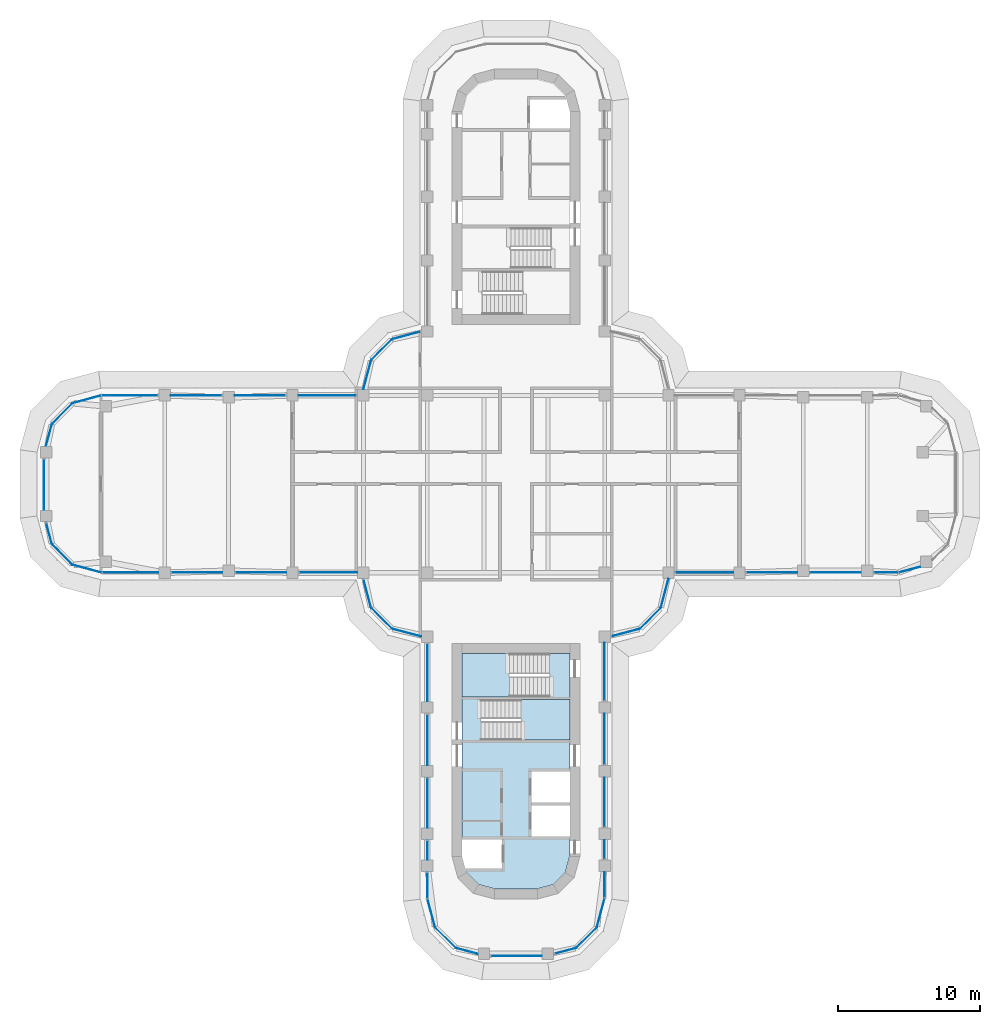
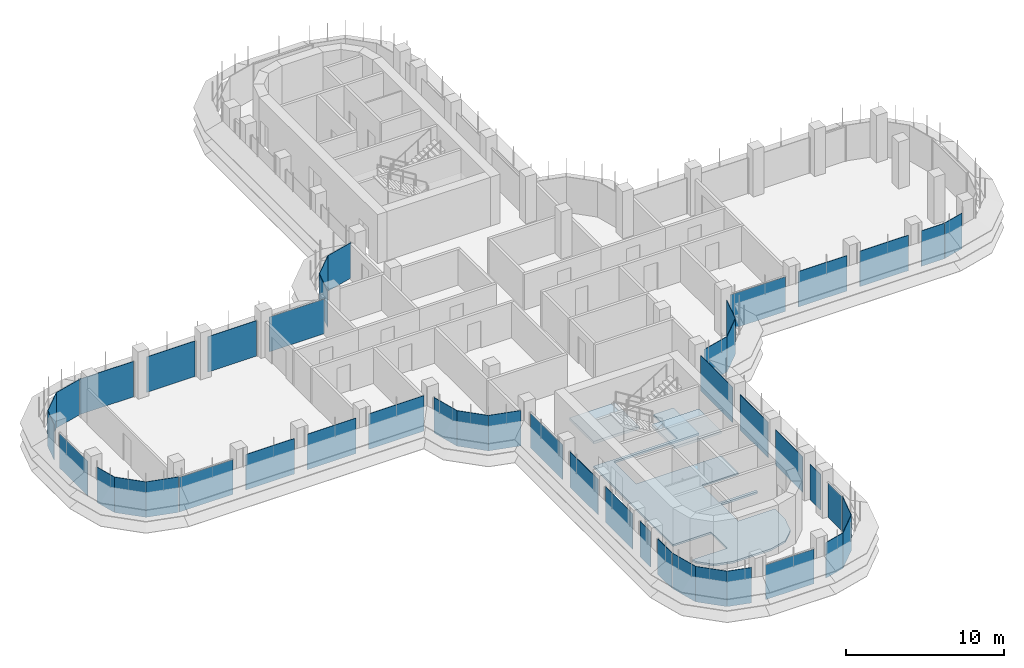
# One storey, part 12 of 20: 46 plates, 3 slabs, 31 elements without a shape of their own.
"""IFC4 building model written with IfcOpenShell, lengths in metres."""

from ifc_helpers import new_model, si_unit, direction, frame, origin, place, context, subcontext, project, spatial, polyline, outline, extrude, source, transform, mapped, material, layer, layer_set, type_object, element, aggregate, save


model = new_model("IFC4")

# Units and contexts
model_context = context("Model", 3, precision=1e-05, world=origin(), true_north=direction((0.0, 1.0)))
body_context = subcontext(model_context, "Body", "Model", "MODEL_VIEW")
ifc_project = project(units=[si_unit("LENGTHUNIT", "METRE"), si_unit("AREAUNIT", "SQUARE_METRE"), si_unit("VOLUMEUNIT", "CUBIC_METRE"), si_unit("PLANEANGLEUNIT", "RADIAN"), si_unit("MASSUNIT", "GRAM", prefix="KILO")], contexts=[model_context])

# Site, building, storey
site_placement = place(None, origin())
site = spatial("IfcSite", under=ifc_project, at=site_placement, CompositionType="ELEMENT")
building_placement = place(site_placement, origin())
building = spatial("IfcBuilding", under=site, at=building_placement, Name="Zarbagh Exchange Tower", CompositionType="ELEMENT")
storey_placement = place(building_placement, frame((0.0, 0.0, 144.800048828125)))
storey = spatial("IfcBuildingStorey", under=building, at=storey_placement, Name="L34", CompositionType="ELEMENT", Elevation=144.800048828125)

# Slab
ifc_material_1 = material(Name="Concrete C40/50", Category="concrete")
ifc_layer_1 = layer(ifc_material_1, 0.14990234375)
ifc_layer_set_1 = layer_set([ifc_layer_1], Name="Core floor slab 150 C40/50")
slab_type_1 = type_object("IfcSlabType", Name="Core floor slab 150 C40/50", PredefinedType="FLOOR", material=ifc_layer_set_1)
slab_1_placement = place(storey_placement, frame((0.0, 0.0, -0.150146484375)))
element("IfcSlab", 1, at=slab_1_placement, inside=storey, type_object=slab_type_1, Name="S17 core S", PredefinedType="FLOOR", context=body_context, shape_type="SweptSolid", body=[
    extrude(outline(polyline([(-2.6376953125, -28.220458984375), (-3.470458984375, -27.3876953125), (-3.800048828125, -26.15771484375), (-3.800048828125, -26.15771484375), (-3.547607421875, -27.10009765625), (-1.0, -27.10009765625), (-1.0, -25.050048828125), (-3.800048828125, -25.050048828125), (-3.800048828125, -15.0), (2.35009765625, -15.0), (2.35009765625, -11.949951171875), (3.800048828125, -11.949951171875), (3.800048828125, -15.199951171875), (-2.449951171875, -15.199951171875), (-2.449951171875, -18.050048828125), (3.800048828125, -18.050048828125), (3.800048828125, -20.25), (1.10009765625, -20.25), (1.10009765625, -22.449951171875), (3.800048828125, -22.449951171875), (3.800048828125, -22.64990234375), (1.10009765625, -22.64990234375), (1.10009765625, -24.85009765625), (3.800048828125, -24.85009765625), (3.800048828125, -26.15771484375), (3.470458984375, -27.3876953125), (2.6376953125, -28.220458984375), (1.40771484375, -28.550048828125), (-1.40771484375, -28.550048828125), (-2.6376953125, -28.220458984375)])), origin(), (0.0, 0.0, 1.0), 0.150146484375),
])

# Stair, slab
stair_type = type_object("IfcStairType", Name="Exit stair two-flight half-turn", PredefinedType="HALF_TURN_STAIR", material=ifc_material_1)
stair_1_placement = place(storey_placement, origin())
stair_1 = element("IfcStair", 2, at=stair_1_placement, inside=storey, type_object=stair_type, Name="exit stair ST3", PredefinedType="HALF_TURN_STAIR")
ifc_layer_2 = layer(ifc_material_1, 0.199951171875)
ifc_layer_set_2 = layer_set([ifc_layer_2], Name="Stair landing 200 mm")
slab_type_2 = type_object("IfcSlabType", Name="Stair landing 200 mm", PredefinedType="LANDING", material=ifc_layer_set_2)
slab_2_placement = place(storey_placement, frame((0.0, 0.0, 1.699951171875)))
slab_2 = element("IfcSlab", 3, at=slab_2_placement, type_object=slab_type_2, Name="ST3 landing 1", PredefinedType="LANDING", context=body_context, shape_type="SweptSolid", body=[
    extrude(outline(polyline([(0.35009765625, -18.050048828125), (3.800048828125, -18.050048828125), (3.800048828125, -15.199951171875), (0.35009765625, -15.199951171875), (0.35009765625, -18.050048828125)])), origin(), (0.0, 0.0, 1.0), 0.199951171875),
])
aggregate(stair_1, [slab_2])

stair_2_placement = place(storey_placement, origin())
stair_2 = element("IfcStair", 4, at=stair_2_placement, inside=storey, type_object=stair_type, Name="exit stair ST4", PredefinedType="HALF_TURN_STAIR")
slab_3_placement = place(storey_placement, frame((0.0, 0.0, 1.699951171875)))
slab_3 = element("IfcSlab", 5, at=slab_3_placement, type_object=slab_type_2, Name="ST4 landing 1", PredefinedType="LANDING", context=body_context, shape_type="SweptSolid", body=[
    extrude(outline(polyline([(-0.449951171875, -11.949951171875), (-3.800048828125, -11.949951171875), (-3.800048828125, -15.0), (-0.449951171875, -15.0), (-0.449951171875, -11.949951171875)])), origin(), (0.0, 0.0, 1.0), 0.199951171875),
])
aggregate(stair_2, [slab_3])

# Curtain wall, plate
ifc_material_2 = material(Name="Anodised aluminium frame and glazing", Category="aluminium")
curtain_wall_type = type_object("IfcCurtainWallType", Name="CWB Ribbon glazing, upper zones", PredefinedType="NOTDEFINED", material=ifc_material_2)
curtain_wall_1_placement = place(storey_placement, origin())
curtain_wall_1 = element("IfcCurtainWall", 6, at=curtain_wall_1_placement, inside=storey, type_object=curtain_wall_type, Name="CWB01 curtain wall", PredefinedType="NOTDEFINED")
ifc_material_3 = material(Name="Low-e double glazed unit, 6+12+6 mm")
ifc_layer_3 = layer(ifc_material_3, 0.031982421875)
ifc_layer_set_3 = layer_set([ifc_layer_3], Name="PAB Glazing panel, Low-e double glazed unit, 6+12+6 mm")
plate_type = type_object("IfcPlateType", Name="PAB Glazing panel, Low-e double glazed unit, 6+12+6 mm", PredefinedType="CURTAIN_PANEL", material=ifc_layer_set_3)
shared_shape_1 = source(origin(), body_context, "Body", "SweptSolid", [
    extrude(outline(polyline([(0.0, -0.01611328125), (1.5458984375, -0.01611328125), (1.5458984375, 0.01611328125), (0.0, 0.01611328125), (0.0, -0.01611328125)])), origin(), (0.0, 0.0, 1.0), 2.75),
])
placement = place(storey_placement, origin())
plate_1 = element("IfcPlate", 7, at=placement, type_object=plate_type, Name="CWB01 glazing panel 1.1", PredefinedType="CURTAIN_PANEL", context=body_context, shape_type="MappedRepresentation", body=[
    mapped(shared_shape_1, transform((2.748046875, -33.098876953125, 0.0), x_axis=(0.965924289636, 0.258824779902, 0.0), y_axis=(-0.258824779902, 0.965924289636, 0.0), z_axis=(0.0, 0.0, 1.0))),
])
aggregate(curtain_wall_1, [plate_1])

curtain_wall_2_placement = place(storey_placement, origin())
curtain_wall_2 = element("IfcCurtainWall", 8, at=curtain_wall_2_placement, inside=storey, type_object=curtain_wall_type, Name="CWB37 curtain wall", PredefinedType="NOTDEFINED")
plate_2 = element("IfcPlate", 9, at=placement, type_object=plate_type, Name="CWB37 glazing panel 1.1", PredefinedType="CURTAIN_PANEL", context=body_context, shape_type="MappedRepresentation", body=[
    mapped(shared_shape_1, transform((-33.098876953125, -2.748046875, 0.0), x_axis=(0.258824779902, -0.965924289636, 0.0), y_axis=(0.965924289636, 0.258824779902, 0.0), z_axis=(0.0, 0.0, 1.0))),
])
aggregate(curtain_wall_2, [plate_2])

curtain_wall_3_placement = place(storey_placement, origin())
curtain_wall_3 = element("IfcCurtainWall", 10, at=curtain_wall_3_placement, inside=storey, type_object=curtain_wall_type, Name="CWB02 curtain wall", PredefinedType="NOTDEFINED")
shared_shape_2 = source(origin(), body_context, "Body", "SweptSolid", [
    extrude(outline(polyline([(0.0, -0.01611328125), (2.061279296875, -0.01611328125), (2.061279296875, 0.01611328125), (0.0, 0.01611328125), (0.0, -0.01611328125)])), origin(), (0.0, 0.0, 1.0), 2.75),
])
plate_3 = element("IfcPlate", 11, at=placement, type_object=plate_type, Name="CWB02 glazing panel 1.1", PredefinedType="CURTAIN_PANEL", context=body_context, shape_type="MappedRepresentation", body=[
    mapped(shared_shape_2, transform((4.2412109375, -32.69873046875, 0.0), x_axis=(0.707106781187, 0.707106781187, 0.0), y_axis=(-0.707106781187, 0.707106781187, 0.0), z_axis=(0.0, 0.0, 1.0))),
])
aggregate(curtain_wall_3, [plate_3])

curtain_wall_4_placement = place(storey_placement, origin())
curtain_wall_4 = element("IfcCurtainWall", 12, at=curtain_wall_4_placement, inside=storey, type_object=curtain_wall_type, Name="CWB06 curtain wall", PredefinedType="NOTDEFINED")
plate_4 = element("IfcPlate", 13, at=placement, type_object=plate_type, Name="CWB06 glazing panel 1.1", PredefinedType="CURTAIN_PANEL", context=body_context, shape_type="MappedRepresentation", body=[
    mapped(shared_shape_2, transform((8.7412109375, -10.19873046875, 0.0), x_axis=(0.707106781187, 0.707106781187, 0.0), y_axis=(-0.707106781187, 0.707106781187, 0.0), z_axis=(0.0, 0.0, 1.0))),
])
aggregate(curtain_wall_4, [plate_4])

curtain_wall_5_placement = place(storey_placement, origin())
curtain_wall_5 = element("IfcCurtainWall", 14, at=curtain_wall_5_placement, inside=storey, type_object=curtain_wall_type, Name="CWB30 curtain wall", PredefinedType="NOTDEFINED")
plate_5 = element("IfcPlate", 15, at=placement, type_object=plate_type, Name="CWB30 glazing panel 1.1", PredefinedType="CURTAIN_PANEL", context=body_context, shape_type="MappedRepresentation", body=[
    mapped(shared_shape_2, transform((-8.7412109375, 10.19873046875, 0.0), x_axis=(-0.707106781187, -0.707106781187, 0.0), y_axis=(0.707106781187, -0.707106781187, 0.0), z_axis=(0.0, 0.0, 1.0))),
])
aggregate(curtain_wall_5, [plate_5])

curtain_wall_6_placement = place(storey_placement, origin())
curtain_wall_6 = element("IfcCurtainWall", 16, at=curtain_wall_6_placement, inside=storey, type_object=curtain_wall_type, Name="CWB34 curtain wall", PredefinedType="NOTDEFINED")
plate_6 = element("IfcPlate", 17, at=placement, type_object=plate_type, Name="CWB34 glazing panel 1.1", PredefinedType="CURTAIN_PANEL", context=body_context, shape_type="MappedRepresentation", body=[
    mapped(shared_shape_2, transform((-31.2412109375, 5.69873046875, 0.0), x_axis=(-0.707106781187, -0.707106781187, 0.0), y_axis=(0.707106781187, -0.707106781187, 0.0), z_axis=(0.0, 0.0, 1.0))),
])
aggregate(curtain_wall_6, [plate_6])

curtain_wall_7_placement = place(storey_placement, origin())
curtain_wall_7 = element("IfcCurtainWall", 18, at=curtain_wall_7_placement, inside=storey, type_object=curtain_wall_type, Name="CWB38 curtain wall", PredefinedType="NOTDEFINED")
plate_7 = element("IfcPlate", 19, at=placement, type_object=plate_type, Name="CWB38 glazing panel 1.1", PredefinedType="CURTAIN_PANEL", context=body_context, shape_type="MappedRepresentation", body=[
    mapped(shared_shape_2, transform((-32.69873046875, -4.2412109375, 0.0), x_axis=(0.707106781187, -0.707106781187, 0.0), y_axis=(0.707106781187, 0.707106781187, 0.0), z_axis=(0.0, 0.0, 1.0))),
])
aggregate(curtain_wall_7, [plate_7])

curtain_wall_8_placement = place(storey_placement, origin())
curtain_wall_8 = element("IfcCurtainWall", 20, at=curtain_wall_8_placement, inside=storey, type_object=curtain_wall_type, Name="CWB42 curtain wall", PredefinedType="NOTDEFINED")
plate_8 = element("IfcPlate", 21, at=placement, type_object=plate_type, Name="CWB42 glazing panel 1.1", PredefinedType="CURTAIN_PANEL", context=body_context, shape_type="MappedRepresentation", body=[
    mapped(shared_shape_2, transform((-10.19873046875, -8.7412109375, 0.0), x_axis=(0.707106781187, -0.707106781187, 0.0), y_axis=(0.707106781187, 0.707106781187, 0.0), z_axis=(0.0, 0.0, 1.0))),
])
aggregate(curtain_wall_8, [plate_8])

curtain_wall_9_placement = place(storey_placement, origin())
curtain_wall_9 = element("IfcCurtainWall", 22, at=curtain_wall_9_placement, inside=storey, type_object=curtain_wall_type, Name="CWB46 curtain wall", PredefinedType="NOTDEFINED")
plate_9 = element("IfcPlate", 23, at=placement, type_object=plate_type, Name="CWB46 glazing panel 1.1", PredefinedType="CURTAIN_PANEL", context=body_context, shape_type="MappedRepresentation", body=[
    mapped(shared_shape_2, transform((-5.69873046875, -31.2412109375, 0.0), x_axis=(0.707106781187, -0.707106781187, 0.0), y_axis=(0.707106781187, 0.707106781187, 0.0), z_axis=(0.0, 0.0, 1.0))),
])
aggregate(curtain_wall_9, [plate_9])

curtain_wall_10_placement = place(storey_placement, origin())
curtain_wall_10 = element("IfcCurtainWall", 24, at=curtain_wall_10_placement, inside=storey, type_object=curtain_wall_type, Name="CWB03 curtain wall", PredefinedType="NOTDEFINED")
shared_shape_3 = source(origin(), body_context, "Body", "SweptSolid", [
    extrude(outline(polyline([(0.0, -0.01611328125), (2.129638671875, -0.01611328125), (2.129638671875, 0.01611328125), (0.0, 0.01611328125), (0.0, -0.01611328125)])), origin(), (0.0, 0.0, 1.0), 2.75),
])
plate_10 = element("IfcPlate", 25, at=placement, type_object=plate_type, Name="CWB03 glazing panel 1.1", PredefinedType="CURTAIN_PANEL", context=body_context, shape_type="MappedRepresentation", body=[
    mapped(shared_shape_3, transform((5.69873046875, -31.2412109375, 0.0), x_axis=(0.258824779902, 0.965924289636, 0.0), y_axis=(-0.965924289636, 0.258824779902, 0.0), z_axis=(0.0, 0.0, 1.0))),
])
aggregate(curtain_wall_10, [plate_10])

curtain_wall_11_placement = place(storey_placement, origin())
curtain_wall_11 = element("IfcCurtainWall", 26, at=curtain_wall_11_placement, inside=storey, type_object=curtain_wall_type, Name="CWB39 curtain wall", PredefinedType="NOTDEFINED")
plate_11 = element("IfcPlate", 27, at=placement, type_object=plate_type, Name="CWB39 glazing panel 1.1", PredefinedType="CURTAIN_PANEL", context=body_context, shape_type="MappedRepresentation", body=[
    mapped(shared_shape_3, transform((-31.2412109375, -5.69873046875, 0.0), x_axis=(0.965924289636, -0.258824779902, 0.0), y_axis=(0.258824779902, 0.965924289636, 0.0), z_axis=(0.0, 0.0, 1.0))),
])
aggregate(curtain_wall_11, [plate_11])

# Curtain wall, plates
curtain_wall_12_placement = place(storey_placement, origin())
curtain_wall_12 = element("IfcCurtainWall", 28, at=curtain_wall_12_placement, inside=storey, type_object=curtain_wall_type, Name="CWB04 curtain wall", PredefinedType="NOTDEFINED")
shared_shape_4 = source(origin(), body_context, "Body", "SweptSolid", [
    extrude(outline(polyline([(0.0, -0.01611328125), (1.7841796875, -0.01611328125), (1.7841796875, 0.01611328125), (0.0, 0.01611328125), (0.0, -0.01611328125)])), origin(), (0.0, 0.0, 1.0), 2.68994140625),
])
plate_12 = element("IfcPlate", 29, at=placement, type_object=plate_type, Name="CWB04 glazing panel 1.1", PredefinedType="CURTAIN_PANEL", context=body_context, shape_type="MappedRepresentation", body=[
    mapped(shared_shape_4, transform((6.25, -29.124267578125, 0.0), x_axis=(0.0, 1.0, 0.0), y_axis=(-1.0, 0.0, 0.0), z_axis=(0.0, 0.0, 1.0))),
])
shared_shape_5 = source(origin(), body_context, "Body", "SweptSolid", [
    extrude(outline(polyline([(0.0, -0.01611328125), (1.31005859375, -0.01611328125), (1.31005859375, 0.01611328125), (0.0, 0.01611328125), (0.0, -0.01611328125)])), origin(), (0.0, 0.0, 1.0), 2.75),
])
plate_13 = element("IfcPlate", 30, at=placement, type_object=plate_type, Name="CWB04 glazing panel 2.1", PredefinedType="CURTAIN_PANEL", context=body_context, shape_type="MappedRepresentation", body=[
    mapped(shared_shape_5, transform((6.25, -26.39990234375, 0.0), x_axis=(0.0, 1.0, 0.0), y_axis=(-1.0, 0.0, 0.0), z_axis=(0.0, 0.0, 1.0))),
])

# Curtain wall, plate
curtain_wall_13_placement = place(storey_placement, origin())
curtain_wall_13 = element("IfcCurtainWall", 31, at=curtain_wall_13_placement, inside=storey, type_object=curtain_wall_type, Name="CWB44 curtain wall", PredefinedType="NOTDEFINED")
plate_14 = element("IfcPlate", 32, at=placement, type_object=plate_type, Name="CWB44 glazing panel 4.1", PredefinedType="CURTAIN_PANEL", context=body_context, shape_type="MappedRepresentation", body=[
    mapped(shared_shape_5, transform((-6.25, -25.150146484375, 0.0), x_axis=(0.0, -1.0, 0.0), y_axis=(1.0, 0.0, 0.0), z_axis=(0.0, 0.0, 1.0))),
])

# Plate
shared_shape_6 = source(origin(), body_context, "Body", "SweptSolid", [
    extrude(outline(polyline([(0.0, -0.01611328125), (3.4599609375, -0.01611328125), (3.4599609375, 0.01611328125), (0.0, 0.01611328125), (0.0, -0.01611328125)])), origin(), (0.0, 0.0, 1.0), 2.75),
])
plate_15 = element("IfcPlate", 33, at=placement, type_object=plate_type, Name="CWB04 glazing panel 3.1", PredefinedType="CURTAIN_PANEL", context=body_context, shape_type="MappedRepresentation", body=[
    mapped(shared_shape_6, transform((6.25, -24.14990234375, 0.0), x_axis=(0.0, 1.0, 0.0), y_axis=(-1.0, 0.0, 0.0), z_axis=(0.0, 0.0, 1.0))),
])

plate_16 = element("IfcPlate", 34, at=placement, type_object=plate_type, Name="CWB44 glazing panel 3.1", PredefinedType="CURTAIN_PANEL", context=body_context, shape_type="MappedRepresentation", body=[
    mapped(shared_shape_6, transform((-6.25, -20.75, 0.0), x_axis=(0.0, -1.0, 0.0), y_axis=(1.0, 0.0, 0.0), z_axis=(0.0, 0.0, 1.0))),
])

shared_shape_7 = source(origin(), body_context, "Body", "SweptSolid", [
    extrude(outline(polyline([(0.0, -0.01611328125), (3.56005859375, -0.01611328125), (3.56005859375, 0.01611328125), (0.0, 0.01611328125), (0.0, -0.01611328125)])), origin(), (0.0, 0.0, 1.0), 2.75),
])
plate_17 = element("IfcPlate", 35, at=placement, type_object=plate_type, Name="CWB04 glazing panel 4.1", PredefinedType="CURTAIN_PANEL", context=body_context, shape_type="MappedRepresentation", body=[
    mapped(shared_shape_7, transform((6.25, -19.75, 0.0), x_axis=(0.0, 1.0, 0.0), y_axis=(-1.0, 0.0, 0.0), z_axis=(0.0, 0.0, 1.0))),
])

# Curtain wall, plates
curtain_wall_14_placement = place(storey_placement, origin())
curtain_wall_14 = element("IfcCurtainWall", 36, at=curtain_wall_14_placement, inside=storey, type_object=curtain_wall_type, Name="CWB08 curtain wall", PredefinedType="NOTDEFINED")
plate_18 = element("IfcPlate", 37, at=placement, type_object=plate_type, Name="CWB08 glazing panel 2.1", PredefinedType="CURTAIN_PANEL", context=body_context, shape_type="MappedRepresentation", body=[
    mapped(shared_shape_7, transform((16.25, -6.25, 0.0), x_axis=(1.0, 0.0, 0.0), y_axis=(0.0, 1.0, 0.0), z_axis=(0.0, 0.0, 1.0))),
])
plate_19 = element("IfcPlate", 38, at=placement, type_object=plate_type, Name="CWB08 glazing panel 3.1", PredefinedType="CURTAIN_PANEL", context=body_context, shape_type="MappedRepresentation", body=[
    mapped(shared_shape_7, transform((20.75, -6.25, 0.0), x_axis=(1.0, 0.0, 0.0), y_axis=(0.0, 1.0, 0.0), z_axis=(0.0, 0.0, 1.0))),
])

curtain_wall_15_placement = place(storey_placement, origin())
curtain_wall_15 = element("IfcCurtainWall", 39, at=curtain_wall_15_placement, inside=storey, type_object=curtain_wall_type, Name="CWB32 curtain wall", PredefinedType="NOTDEFINED")
plate_20 = element("IfcPlate", 40, at=placement, type_object=plate_type, Name="CWB32 glazing panel 2.1", PredefinedType="CURTAIN_PANEL", context=body_context, shape_type="MappedRepresentation", body=[
    mapped(shared_shape_7, transform((-16.25, 6.25, 0.0), x_axis=(-1.0, 0.0, 0.0), y_axis=(0.0, -1.0, 0.0), z_axis=(0.0, 0.0, 1.0))),
])
plate_21 = element("IfcPlate", 41, at=placement, type_object=plate_type, Name="CWB32 glazing panel 3.1", PredefinedType="CURTAIN_PANEL", context=body_context, shape_type="MappedRepresentation", body=[
    mapped(shared_shape_7, transform((-20.75, 6.25, 0.0), x_axis=(-1.0, 0.0, 0.0), y_axis=(0.0, -1.0, 0.0), z_axis=(0.0, 0.0, 1.0))),
])

curtain_wall_16_placement = place(storey_placement, origin())
curtain_wall_16 = element("IfcCurtainWall", 42, at=curtain_wall_16_placement, inside=storey, type_object=curtain_wall_type, Name="CWB40 curtain wall", PredefinedType="NOTDEFINED")
plate_22 = element("IfcPlate", 43, at=placement, type_object=plate_type, Name="CWB40 glazing panel 2.1", PredefinedType="CURTAIN_PANEL", context=body_context, shape_type="MappedRepresentation", body=[
    mapped(shared_shape_7, transform((-24.25, -6.25, 0.0), x_axis=(1.0, 0.0, 0.0), y_axis=(0.0, 1.0, 0.0), z_axis=(0.0, 0.0, 1.0))),
])
plate_23 = element("IfcPlate", 44, at=placement, type_object=plate_type, Name="CWB40 glazing panel 3.1", PredefinedType="CURTAIN_PANEL", context=body_context, shape_type="MappedRepresentation", body=[
    mapped(shared_shape_7, transform((-19.75, -6.25, 0.0), x_axis=(1.0, 0.0, 0.0), y_axis=(0.0, 1.0, 0.0), z_axis=(0.0, 0.0, 1.0))),
])

# Plate
plate_24 = element("IfcPlate", 45, at=placement, type_object=plate_type, Name="CWB44 glazing panel 2.1", PredefinedType="CURTAIN_PANEL", context=body_context, shape_type="MappedRepresentation", body=[
    mapped(shared_shape_7, transform((-6.25, -16.25, 0.0), x_axis=(0.0, -1.0, 0.0), y_axis=(1.0, 0.0, 0.0), z_axis=(0.0, 0.0, 1.0))),
])

shared_shape_8 = source(origin(), body_context, "Body", "SweptSolid", [
    extrude(outline(polyline([(0.0, -0.01611328125), (4.06005859375, -0.01611328125), (4.06005859375, 0.01611328125), (0.0, 0.01611328125), (0.0, -0.01611328125)])), origin(), (0.0, 0.0, 1.0), 2.75),
])
plate_25 = element("IfcPlate", 46, at=placement, type_object=plate_type, Name="CWB04 glazing panel 5.1", PredefinedType="CURTAIN_PANEL", context=body_context, shape_type="MappedRepresentation", body=[
    mapped(shared_shape_8, transform((6.25, -15.25, 0.0), x_axis=(0.0, 1.0, 0.0), y_axis=(-1.0, 0.0, 0.0), z_axis=(0.0, 0.0, 1.0))),
])

aggregate(curtain_wall_12, [plate_12, plate_13, plate_15, plate_17, plate_25])

plate_26 = element("IfcPlate", 47, at=placement, type_object=plate_type, Name="CWB40 glazing panel 4.1", PredefinedType="CURTAIN_PANEL", context=body_context, shape_type="MappedRepresentation", body=[
    mapped(shared_shape_8, transform((-15.25, -6.25, 0.0), x_axis=(1.0, 0.0, 0.0), y_axis=(0.0, 1.0, 0.0), z_axis=(0.0, 0.0, 1.0))),
])

# Curtain wall, plate
curtain_wall_17_placement = place(storey_placement, origin())
curtain_wall_17 = element("IfcCurtainWall", 48, at=curtain_wall_17_placement, inside=storey, type_object=curtain_wall_type, Name="CWB05 curtain wall", PredefinedType="NOTDEFINED")
shared_shape_9 = source(origin(), body_context, "Body", "SweptSolid", [
    extrude(outline(polyline([(0.0, -0.01611328125), (2.063720703125, -0.01611328125), (2.063720703125, 0.01611328125), (0.0, 0.01611328125), (0.0, -0.01611328125)])), origin(), (0.0, 0.0, 1.0), 2.75),
])
plate_27 = element("IfcPlate", 49, at=placement, type_object=plate_type, Name="CWB05 glazing panel 1.1", PredefinedType="CURTAIN_PANEL", context=body_context, shape_type="MappedRepresentation", body=[
    mapped(shared_shape_9, transform((6.748046875, -10.73291015625, 0.0), x_axis=(0.965924289636, 0.258824779902, 0.0), y_axis=(-0.258824779902, 0.965924289636, 0.0), z_axis=(0.0, 0.0, 1.0))),
])
aggregate(curtain_wall_17, [plate_27])

curtain_wall_18_placement = place(storey_placement, origin())
curtain_wall_18 = element("IfcCurtainWall", 50, at=curtain_wall_18_placement, inside=storey, type_object=curtain_wall_type, Name="CWB29 curtain wall", PredefinedType="NOTDEFINED")
plate_28 = element("IfcPlate", 51, at=placement, type_object=plate_type, Name="CWB29 glazing panel 1.1", PredefinedType="CURTAIN_PANEL", context=body_context, shape_type="MappedRepresentation", body=[
    mapped(shared_shape_9, transform((-6.748046875, 10.73291015625, 0.0), x_axis=(-0.965924289636, -0.258824779902, 0.0), y_axis=(0.258824779902, -0.965924289636, 0.0), z_axis=(0.0, 0.0, 1.0))),
])
aggregate(curtain_wall_18, [plate_28])

curtain_wall_19_placement = place(storey_placement, origin())
curtain_wall_19 = element("IfcCurtainWall", 52, at=curtain_wall_19_placement, inside=storey, type_object=curtain_wall_type, Name="CWB41 curtain wall", PredefinedType="NOTDEFINED")
plate_29 = element("IfcPlate", 53, at=placement, type_object=plate_type, Name="CWB41 glazing panel 1.1", PredefinedType="CURTAIN_PANEL", context=body_context, shape_type="MappedRepresentation", body=[
    mapped(shared_shape_9, transform((-10.73291015625, -6.748046875, 0.0), x_axis=(0.258824779902, -0.965924289636, 0.0), y_axis=(0.965924289636, 0.258824779902, 0.0), z_axis=(0.0, 0.0, 1.0))),
])
aggregate(curtain_wall_19, [plate_29])

curtain_wall_20_placement = place(storey_placement, origin())
curtain_wall_20 = element("IfcCurtainWall", 54, at=curtain_wall_20_placement, inside=storey, type_object=curtain_wall_type, Name="CWB07 curtain wall", PredefinedType="NOTDEFINED")
shared_shape_10 = source(origin(), body_context, "Body", "SweptSolid", [
    extrude(outline(polyline([(0.0, -0.01611328125), (2.12353515625, -0.01611328125), (2.12353515625, 0.01611328125), (0.0, 0.01611328125), (0.0, -0.01611328125)])), origin(), (0.0, 0.0, 1.0), 2.75),
])
plate_30 = element("IfcPlate", 55, at=placement, type_object=plate_type, Name="CWB07 glazing panel 1.1", PredefinedType="CURTAIN_PANEL", context=body_context, shape_type="MappedRepresentation", body=[
    mapped(shared_shape_10, transform((10.19873046875, -8.7412109375, 0.0), x_axis=(0.258824779902, 0.965924289636, 0.0), y_axis=(-0.965924289636, 0.258824779902, 0.0), z_axis=(0.0, 0.0, 1.0))),
])
aggregate(curtain_wall_20, [plate_30])

curtain_wall_21_placement = place(storey_placement, origin())
curtain_wall_21 = element("IfcCurtainWall", 56, at=curtain_wall_21_placement, inside=storey, type_object=curtain_wall_type, Name="CWB31 curtain wall", PredefinedType="NOTDEFINED")
plate_31 = element("IfcPlate", 57, at=placement, type_object=plate_type, Name="CWB31 glazing panel 1.1", PredefinedType="CURTAIN_PANEL", context=body_context, shape_type="MappedRepresentation", body=[
    mapped(shared_shape_10, transform((-10.19873046875, 8.7412109375, 0.0), x_axis=(-0.258824779902, -0.965924289636, 0.0), y_axis=(0.965924289636, -0.258824779902, 0.0), z_axis=(0.0, 0.0, 1.0))),
])
aggregate(curtain_wall_21, [plate_31])

curtain_wall_22_placement = place(storey_placement, origin())
curtain_wall_22 = element("IfcCurtainWall", 58, at=curtain_wall_22_placement, inside=storey, type_object=curtain_wall_type, Name="CWB43 curtain wall", PredefinedType="NOTDEFINED")
plate_32 = element("IfcPlate", 59, at=placement, type_object=plate_type, Name="CWB43 glazing panel 1.1", PredefinedType="CURTAIN_PANEL", context=body_context, shape_type="MappedRepresentation", body=[
    mapped(shared_shape_10, transform((-8.7412109375, -10.19873046875, 0.0), x_axis=(0.965924289636, -0.258824779902, 0.0), y_axis=(0.258824779902, 0.965924289636, 0.0), z_axis=(0.0, 0.0, 1.0))),
])
aggregate(curtain_wall_22, [plate_32])

# Plate
shared_shape_11 = source(origin(), body_context, "Body", "SweptSolid", [
    extrude(outline(polyline([(0.0, -0.01611328125), (4.06005859375, -0.01611328125), (4.06005859375, 0.01611328125), (0.0, 0.01611328125), (0.0, -0.01611328125)])), origin(), (0.0, 0.0, 1.0), 2.68994140625),
])
plate_33 = element("IfcPlate", 60, at=placement, type_object=plate_type, Name="CWB08 glazing panel 1.1", PredefinedType="CURTAIN_PANEL", context=body_context, shape_type="MappedRepresentation", body=[
    mapped(shared_shape_11, transform((11.25, -6.25, 0.0), x_axis=(1.0, 0.0, 0.0), y_axis=(0.0, 1.0, 0.0), z_axis=(0.0, 0.0, 1.0))),
])

plate_34 = element("IfcPlate", 61, at=placement, type_object=plate_type, Name="CWB32 glazing panel 1.1", PredefinedType="CURTAIN_PANEL", context=body_context, shape_type="MappedRepresentation", body=[
    mapped(shared_shape_11, transform((-11.25, 6.25, 0.0), x_axis=(-1.0, 0.0, 0.0), y_axis=(0.0, -1.0, 0.0), z_axis=(0.0, 0.0, 1.0))),
])

plate_35 = element("IfcPlate", 62, at=placement, type_object=plate_type, Name="CWB44 glazing panel 1.1", PredefinedType="CURTAIN_PANEL", context=body_context, shape_type="MappedRepresentation", body=[
    mapped(shared_shape_11, transform((-6.25, -11.25, 0.0), x_axis=(0.0, -1.0, 0.0), y_axis=(1.0, 0.0, 0.0), z_axis=(0.0, 0.0, 1.0))),
])

shared_shape_12 = source(origin(), body_context, "Body", "SweptSolid", [
    extrude(outline(polyline([(0.0, -0.01611328125), (1.68408203125, -0.01611328125), (1.68408203125, 0.01611328125), (0.0, 0.01611328125), (0.0, -0.01611328125)])), origin(), (0.0, 0.0, 1.0), 2.75),
])
plate_36 = element("IfcPlate", 63, at=placement, type_object=plate_type, Name="CWB08 glazing panel 4.1", PredefinedType="CURTAIN_PANEL", context=body_context, shape_type="MappedRepresentation", body=[
    mapped(shared_shape_12, transform((25.25, -6.25, 0.0), x_axis=(1.0, 0.0, 0.0), y_axis=(0.0, 1.0, 0.0), z_axis=(0.0, 0.0, 1.0))),
])

aggregate(curtain_wall_14, [plate_33, plate_18, plate_19, plate_36])

# Curtain wall, plate
curtain_wall_23_placement = place(storey_placement, origin())
curtain_wall_23 = element("IfcCurtainWall", 64, at=curtain_wall_23_placement, inside=storey, type_object=curtain_wall_type, Name="CWB09 curtain wall", PredefinedType="NOTDEFINED")
shared_shape_13 = source(origin(), body_context, "Body", "SweptSolid", [
    extrude(outline(polyline([(0.0, -0.01611328125), (1.52783203125, -0.01611328125), (1.52783203125, 0.01611328125), (0.0, 0.01611328125), (0.0, -0.01611328125)])), origin(), (0.0, 0.0, 1.0), 2.75),
])
plate_37 = element("IfcPlate", 65, at=placement, type_object=plate_type, Name="CWB09 glazing panel 1.1", PredefinedType="CURTAIN_PANEL", context=body_context, shape_type="MappedRepresentation", body=[
    mapped(shared_shape_13, transform((26.9921875, -6.234375, 0.0), x_axis=(0.965924289636, 0.258824779902, 0.0), y_axis=(-0.258824779902, 0.965924289636, 0.0), z_axis=(0.0, 0.0, 1.0))),
])
aggregate(curtain_wall_23, [plate_37])

curtain_wall_24_placement = place(storey_placement, origin())
curtain_wall_24 = element("IfcCurtainWall", 66, at=curtain_wall_24_placement, inside=storey, type_object=curtain_wall_type, Name="CWB33 curtain wall", PredefinedType="NOTDEFINED")
shared_shape_14 = source(origin(), body_context, "Body", "SweptSolid", [
    extrude(outline(polyline([(0.0, -0.01611328125), (2.069580078125, -0.01611328125), (2.069580078125, 0.01611328125), (0.0, 0.01611328125), (0.0, -0.01611328125)])), origin(), (0.0, 0.0, 1.0), 2.75),
])
plate_38 = element("IfcPlate", 67, at=placement, type_object=plate_type, Name="CWB33 glazing panel 1.1", PredefinedType="CURTAIN_PANEL", context=body_context, shape_type="MappedRepresentation", body=[
    mapped(shared_shape_14, transform((-29.2421875, 6.234375, 0.0), x_axis=(-0.965924289636, -0.258824779902, 0.0), y_axis=(0.258824779902, -0.965924289636, 0.0), z_axis=(0.0, 0.0, 1.0))),
])
aggregate(curtain_wall_24, [plate_38])

curtain_wall_25_placement = place(storey_placement, origin())
curtain_wall_25 = element("IfcCurtainWall", 68, at=curtain_wall_25_placement, inside=storey, type_object=curtain_wall_type, Name="CWB45 curtain wall", PredefinedType="NOTDEFINED")
plate_39 = element("IfcPlate", 69, at=placement, type_object=plate_type, Name="CWB45 glazing panel 1.1", PredefinedType="CURTAIN_PANEL", context=body_context, shape_type="MappedRepresentation", body=[
    mapped(shared_shape_14, transform((-6.234375, -29.2421875, 0.0), x_axis=(0.258824779902, -0.965924289636, 0.0), y_axis=(0.965924289636, 0.258824779902, 0.0), z_axis=(0.0, 0.0, 1.0))),
])
aggregate(curtain_wall_25, [plate_39])

# Plate
shared_shape_15 = source(origin(), body_context, "Body", "SweptSolid", [
    extrude(outline(polyline([(0.0, -0.01611328125), (3.93408203125, -0.01611328125), (3.93408203125, 0.01611328125), (0.0, 0.01611328125), (0.0, -0.01611328125)])), origin(), (0.0, 0.0, 1.0), 2.75),
])
plate_40 = element("IfcPlate", 70, at=placement, type_object=plate_type, Name="CWB32 glazing panel 4.1", PredefinedType="CURTAIN_PANEL", context=body_context, shape_type="MappedRepresentation", body=[
    mapped(shared_shape_15, transform((-25.25, 6.25, 0.0), x_axis=(-1.0, 0.0, 0.0), y_axis=(0.0, -1.0, 0.0), z_axis=(0.0, 0.0, 1.0))),
])

aggregate(curtain_wall_15, [plate_34, plate_20, plate_21, plate_40])

# Curtain wall, plate
curtain_wall_26_placement = place(storey_placement, origin())
curtain_wall_26 = element("IfcCurtainWall", 71, at=curtain_wall_26_placement, inside=storey, type_object=curtain_wall_type, Name="CWB35 curtain wall", PredefinedType="NOTDEFINED")
shared_shape_16 = source(origin(), body_context, "Body", "SweptSolid", [
    extrude(outline(polyline([(0.0, -0.01611328125), (1.60595703125, -0.01611328125), (1.60595703125, 0.01611328125), (0.0, 0.01611328125), (0.0, -0.01611328125)])), origin(), (0.0, 0.0, 1.0), 2.75),
])
plate_41 = element("IfcPlate", 72, at=placement, type_object=plate_type, Name="CWB35 glazing panel 1.1", PredefinedType="CURTAIN_PANEL", context=body_context, shape_type="MappedRepresentation", body=[
    mapped(shared_shape_16, transform((-32.69873046875, 4.2412109375, 0.0), x_axis=(-0.258824779902, -0.965924289636, 0.0), y_axis=(0.965924289636, -0.258824779902, 0.0), z_axis=(0.0, 0.0, 1.0))),
])
aggregate(curtain_wall_26, [plate_41])

curtain_wall_27_placement = place(storey_placement, origin())
curtain_wall_27 = element("IfcCurtainWall", 73, at=curtain_wall_27_placement, inside=storey, type_object=curtain_wall_type, Name="CWB47 curtain wall", PredefinedType="NOTDEFINED")
plate_42 = element("IfcPlate", 74, at=placement, type_object=plate_type, Name="CWB47 glazing panel 1.1", PredefinedType="CURTAIN_PANEL", context=body_context, shape_type="MappedRepresentation", body=[
    mapped(shared_shape_16, transform((-4.2412109375, -32.69873046875, 0.0), x_axis=(0.965924289636, -0.258824779902, 0.0), y_axis=(0.258824779902, 0.965924289636, 0.0), z_axis=(0.0, 0.0, 1.0))),
])
aggregate(curtain_wall_27, [plate_42])

curtain_wall_28_placement = place(storey_placement, origin())
curtain_wall_28 = element("IfcCurtainWall", 75, at=curtain_wall_28_placement, inside=storey, type_object=curtain_wall_type, Name="CWB36 curtain wall", PredefinedType="NOTDEFINED")
shared_shape_17 = source(origin(), body_context, "Body", "SweptSolid", [
    extrude(outline(polyline([(0.0, -0.01611328125), (3.56005859375, -0.01611328125), (3.56005859375, 0.01611328125), (0.0, 0.01611328125), (0.0, -0.01611328125)])), origin(), (0.0, 0.0, 1.0), 2.68994140625),
])
plate_43 = element("IfcPlate", 76, at=placement, type_object=plate_type, Name="CWB36 glazing panel 1.1", PredefinedType="CURTAIN_PANEL", context=body_context, shape_type="MappedRepresentation", body=[
    mapped(shared_shape_17, transform((-33.25, 1.75, 0.0), x_axis=(0.0, -1.0, 0.0), y_axis=(1.0, 0.0, 0.0), z_axis=(0.0, 0.0, 1.0))),
])
aggregate(curtain_wall_28, [plate_43])

curtain_wall_29_placement = place(storey_placement, origin())
curtain_wall_29 = element("IfcCurtainWall", 77, at=curtain_wall_29_placement, inside=storey, type_object=curtain_wall_type, Name="CWB48 curtain wall", PredefinedType="NOTDEFINED")
plate_44 = element("IfcPlate", 78, at=placement, type_object=plate_type, Name="CWB48 glazing panel 1.1", PredefinedType="CURTAIN_PANEL", context=body_context, shape_type="MappedRepresentation", body=[
    mapped(shared_shape_17, transform((-1.75, -33.25, 0.0), x_axis=(1.0, 0.0, 0.0), y_axis=(0.0, 1.0, 0.0), z_axis=(0.0, 0.0, 1.0))),
])
aggregate(curtain_wall_29, [plate_44])

# Plate
shared_shape_18 = source(origin(), body_context, "Body", "SweptSolid", [
    extrude(outline(polyline([(0.0, -0.01611328125), (3.93408203125, -0.01611328125), (3.93408203125, 0.01611328125), (0.0, 0.01611328125), (0.0, -0.01611328125)])), origin(), (0.0, 0.0, 1.0), 2.68994140625),
])
plate_45 = element("IfcPlate", 79, at=placement, type_object=plate_type, Name="CWB40 glazing panel 1.1", PredefinedType="CURTAIN_PANEL", context=body_context, shape_type="MappedRepresentation", body=[
    mapped(shared_shape_18, transform((-29.124267578125, -6.25, 0.0), x_axis=(1.0, 0.0, 0.0), y_axis=(0.0, 1.0, 0.0), z_axis=(0.0, 0.0, 1.0))),
])

aggregate(curtain_wall_16, [plate_45, plate_22, plate_23, plate_26])

shared_shape_19 = source(origin(), body_context, "Body", "SweptSolid", [
    extrude(outline(polyline([(0.0, -0.01611328125), (1.7841796875, -0.01611328125), (1.7841796875, 0.01611328125), (0.0, 0.01611328125), (0.0, -0.01611328125)])), origin(), (0.0, 0.0, 1.0), 2.75),
])
plate_46 = element("IfcPlate", 80, at=placement, type_object=plate_type, Name="CWB44 glazing panel 5.1", PredefinedType="CURTAIN_PANEL", context=body_context, shape_type="MappedRepresentation", body=[
    mapped(shared_shape_19, transform((-6.25, -27.400146484375, 0.0), x_axis=(0.0, -1.0, 0.0), y_axis=(1.0, 0.0, 0.0), z_axis=(0.0, 0.0, 1.0))),
])

aggregate(curtain_wall_13, [plate_35, plate_24, plate_16, plate_14, plate_46])

save(model, "model.ifc")
